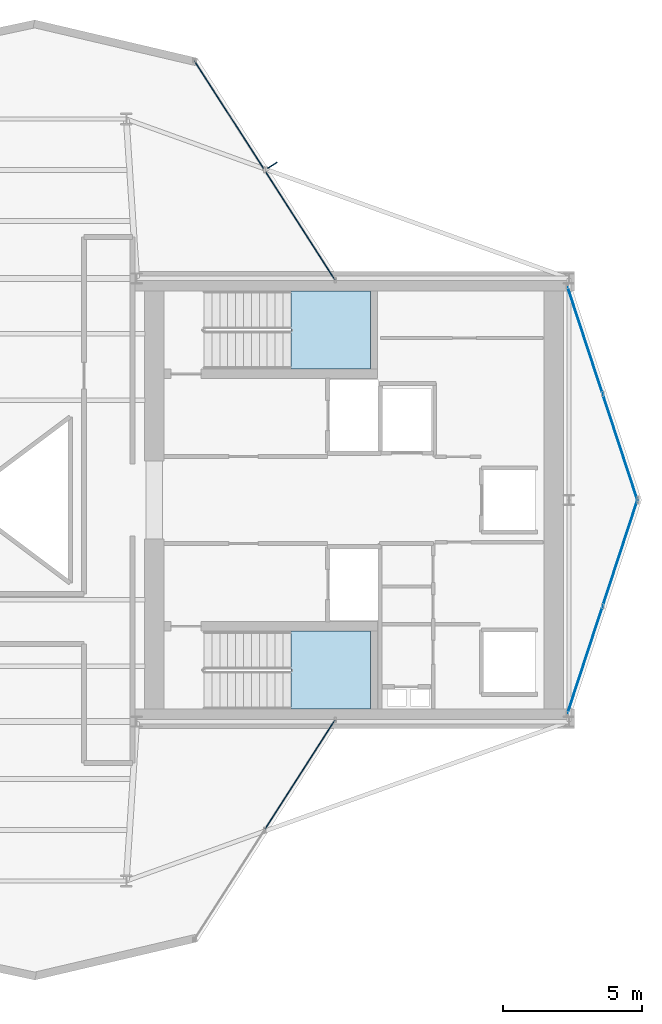
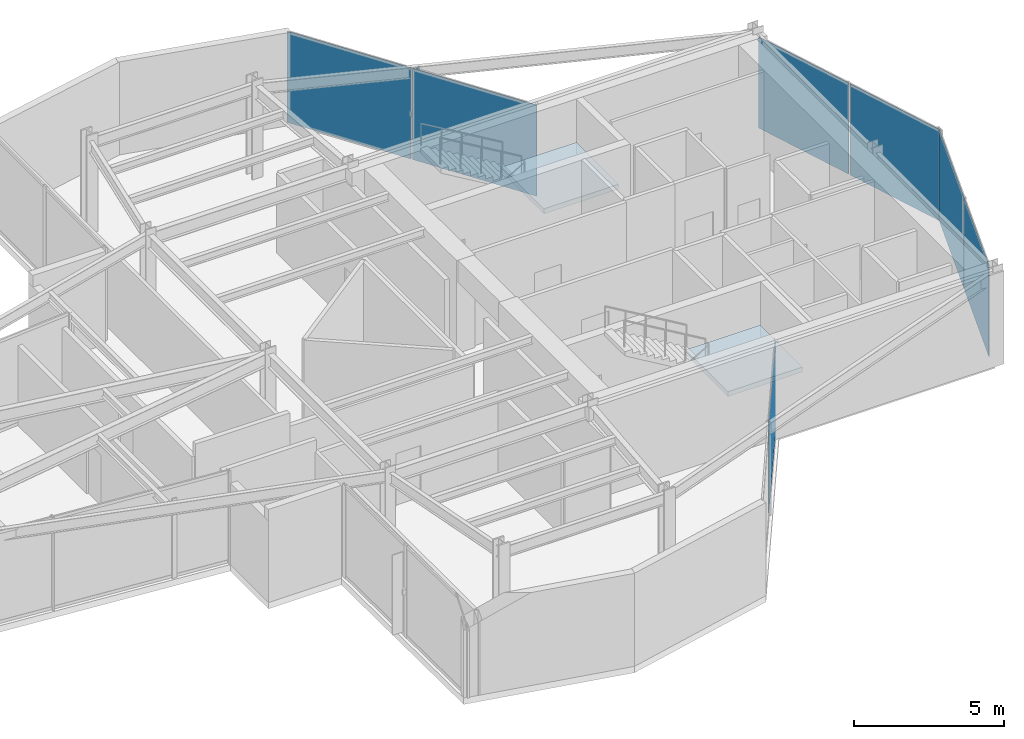
# One storey, part 20 of 23: 8 plates, 2 slabs, 6 elements without a shape of their own.
"""IFC4 building model written with IfcOpenShell, lengths in metres."""

import ifcopenshell
import ifcopenshell.guid

model = None  # the IFC model being written
_history = None  # IfcOwnerHistory: only IFC2X3 demands one
_inside = {}  # id of a spatial element -> (the spatial element, [elements in it])
_under = {}  # id of a project, library or spatial element -> (it, [spatial elements below it])
_declared = {}  # id of a project -> (the project, [libraries it declares])
_typed = {}  # id of a type object -> (the type object, [elements of that type])
_made_of = {}  # id of a material, layer set ... -> (it, [elements and type objects made of it])


def new_model(schema):
    """Start an empty IFC model of exactly this schema.

    Asked for "IFC4X3", IfcOpenShell would pick the latest addendum, in which some entities
    have other attributes; the version numbers below select the first issue.
    IFC2X3 requires an IfcOwnerHistory on every rooted entity: one is made here for all.
    """
    global model, _history
    if schema == "IFC4X3":
        model = ifcopenshell.file(schema_version=(4, 3, 0, 0))
    else:
        model = ifcopenshell.file(schema=schema)
    _inside.clear()
    _under.clear()
    _declared.clear()
    _typed.clear()
    _made_of.clear()
    _history = None
    if model.schema == "IFC2X3":
        org = make("IfcOrganization", Name="unknown")
        user = make(
            "IfcPersonAndOrganization",
            ThePerson=make("IfcPerson", FamilyName="unknown"),
            TheOrganization=org,
        )
        app = make(
            "IfcApplication",
            ApplicationDeveloper=org,
            Version="unknown",
            ApplicationFullName="unknown",
            ApplicationIdentifier="unknown",
        )
        _history = make(
            "IfcOwnerHistory",
            OwningUser=user,
            OwningApplication=app,
            ChangeAction="ADDED",
            CreationDate=0,
        )
    return model


def make(cls, **values):
    """One entity of the class cls with the attributes given. An attribute that is None is left unset."""
    return model.create_entity(
        cls, **{name: value for name, value in values.items() if value is not None}
    )


def rooted(cls, **values):
    """An entity with a GlobalId (a new one), such as an element, a storey or a relation."""
    return make(cls, GlobalId=ifcopenshell.guid.new(), OwnerHistory=_history, **values)


def si_unit(unit_type, name, prefix=None):
    """IfcSIUnit, for example si_unit("LENGTHUNIT", "METRE", prefix="MILLI")."""
    return make("IfcSIUnit", UnitType=unit_type, Prefix=prefix, Name=name)


def assignment(units):
    """IfcUnitAssignment: the units of a project."""
    return None if units is None else make("IfcUnitAssignment", Units=units)


def point(xyz):
    """IfcCartesianPoint."""
    return None if xyz is None else make("IfcCartesianPoint", Coordinates=xyz)


def direction(xyz):
    """IfcDirection."""
    return None if xyz is None else make("IfcDirection", DirectionRatios=xyz)


def frame(location, z_axis=None, x_axis=None):
    """IfcAxis2Placement3D, a coordinate frame: its origin and axes. An axis left out is left unset."""
    return make(
        "IfcAxis2Placement3D",
        Location=point(location),
        Axis=direction(z_axis),
        RefDirection=direction(x_axis),
    )


def frame_2d(location, x_axis=None):
    """IfcAxis2Placement2D, a coordinate frame in the plane: its origin and x axis."""
    return make(
        "IfcAxis2Placement2D", Location=point(location), RefDirection=direction(x_axis)
    )


def origin():
    """The frame at (0, 0, 0) with its axes left unset."""
    return frame((0.0, 0.0, 0.0))


def origin_2d():
    """The frame at (0, 0) in the plane with its x axis left unset."""
    return frame_2d((0.0, 0.0))


def place(relative_to, where):
    """IfcLocalPlacement: puts the frame where relative to a parent placement (None: the world)."""
    return make(
        "IfcLocalPlacement", PlacementRelTo=relative_to, RelativePlacement=where
    )


def context(
    kind, dimensions, precision=None, world=None, true_north=None, identifier=None
):
    """IfcGeometricRepresentationContext, for example the 3D "Model" context."""
    return make(
        "IfcGeometricRepresentationContext",
        ContextIdentifier=identifier,
        ContextType=kind,
        CoordinateSpaceDimension=dimensions,
        Precision=precision,
        WorldCoordinateSystem=world,
        TrueNorth=true_north,
    )


def subcontext(parent, identifier, kind, view, scale=None):
    """IfcGeometricRepresentationSubContext, for example "Body" below "Model"."""
    return make(
        "IfcGeometricRepresentationSubContext",
        ContextIdentifier=identifier,
        ContextType=kind,
        ParentContext=parent,
        TargetScale=scale,
        TargetView=view,
    )


def project(units=None, contexts=None):
    """IfcProject with its units and contexts."""
    return rooted(
        "IfcProject",
        Name="project",
        RepresentationContexts=contexts,
        UnitsInContext=assignment(units),
    )


def spatial(cls, under=None, at=None, **own):
    """A site, building, storey or space (cls), placed at a placement, below another one or the project."""
    s = rooted(cls, ObjectPlacement=at, **own)
    if under is not None:
        _under.setdefault(under.id(), (under, []))[1].append(s)
    return s


def polyline(points):
    """IfcPolyline through the points."""
    return make("IfcPolyline", Points=[point(p) for p in points])


def profile(cls, at=None, kind="AREA", **sizes):
    """A parametric profile (cls). Its sizes go by their IFC names, for example OverallWidth=200.0."""
    return make(cls, ProfileType=kind, Position=at, **sizes)


def rectangle(**sizes):
    """IfcRectangleProfileDef."""
    return profile("IfcRectangleProfileDef", **sizes)


def outline(outer, holes=None, kind="AREA"):
    """IfcArbitraryClosedProfileDef: a profile drawn as a closed curve; with holes, ...WithVoids."""
    if holes is None:
        return make("IfcArbitraryClosedProfileDef", ProfileType=kind, OuterCurve=outer)
    return make(
        "IfcArbitraryProfileDefWithVoids",
        ProfileType=kind,
        OuterCurve=outer,
        InnerCurves=holes,
    )


def extrude(swept, where, along, depth):
    """IfcExtrudedAreaSolid: the profile swept, set in the frame where, extruded along a direction by depth."""
    return make(
        "IfcExtrudedAreaSolid",
        SweptArea=swept,
        Position=where,
        ExtrudedDirection=direction(along),
        Depth=depth,
    )


def shape(context_of_items, identifier, shape_type, items):
    """IfcShapeRepresentation: the items that make up one representation, for example the "Body"."""
    return make(
        "IfcShapeRepresentation",
        ContextOfItems=context_of_items,
        RepresentationIdentifier=identifier,
        RepresentationType=shape_type,
        Items=items,
    )


def material(Name=None, Category=None):
    """IfcMaterial."""
    return make("IfcMaterial", Name=Name, Category=Category)


def layer(
    of_material, thickness, ventilated=None, Name=None, Category=None, Priority=None
):
    """IfcMaterialLayer: one layer of a wall or slab, of a material (None: an air gap)."""
    return make(
        "IfcMaterialLayer",
        Material=of_material,
        LayerThickness=thickness,
        IsVentilated=ventilated,
        Name=Name,
        Category=Category,
        Priority=Priority,
    )


def layer_set(layers, Name=None):
    """IfcMaterialLayerSet."""
    return make("IfcMaterialLayerSet", MaterialLayers=layers, LayerSetName=Name)


def made_of(thing, what):
    """Note that an element or type object is made of a material, layer set ...; save() writes the relation."""
    if what is not None:
        _made_of.setdefault(what.id(), (what, []))[1].append(thing)
    return thing


def type_object(cls, material=None, **own):
    """A type object (cls), such as IfcWallType, which elements share."""
    return made_of(rooted(cls, **own), material)


def element(
    cls,
    number,
    at=None,
    inside=None,
    cuts=None,
    type_object=None,
    material=None,
    context=None,
    identifier="Body",
    shape_type=None,
    held_by="IfcProductDefinitionShape",
    body=None,
    shapes=None,
    **own,
):
    """One element of the class cls, such as IfcWall. Its Tag is "e" and its number.

    at: its placement. inside: the storey or other place that contains it. cuts: it is an
    opening in that element (IfcRelVoidsElement). A single representation is given by context,
    identifier, shape_type and body (its items); several are given by shapes. held_by: the class
    of the entity that holds the representations. save() writes the other relations.
    """
    e = rooted(cls, Tag="e%d" % number, ObjectPlacement=at, **own)
    if body is not None:
        shapes = [shape(context, identifier, shape_type, body)]
    if shapes is not None:
        e.Representation = make(held_by, Representations=shapes)
    if inside is not None:
        _inside.setdefault(inside.id(), (inside, []))[1].append(e)
    if cuts is not None:
        rooted(
            "IfcRelVoidsElement", RelatingBuildingElement=cuts, RelatedOpeningElement=e
        )
    if type_object is not None:
        _typed.setdefault(type_object.id(), (type_object, []))[1].append(e)
    return made_of(e, material)


def aggregate(whole, parts):
    """IfcRelAggregates: a whole, such as a stair, and the parts it consists of."""
    return rooted("IfcRelAggregates", RelatingObject=whole, RelatedObjects=parts)


def save(model, path):
    """Write the relations noted so far, then the file.

    IfcRelAggregates (storeys below a building ...), IfcRelContainedInSpatialStructure (elements
    in a storey), IfcRelDefinesByType, IfcRelAssociatesMaterial and IfcRelDeclares: one each for
    every whole, place, type object, material and project.
    """
    for whole, parts in _under.values():
        aggregate(whole, parts)
    for where, things in _inside.values():
        rooted(
            "IfcRelContainedInSpatialStructure",
            RelatedElements=things,
            RelatingStructure=where,
        )
    for kind, things in _typed.values():
        rooted("IfcRelDefinesByType", RelatedObjects=things, RelatingType=kind)
    for what, things in _made_of.values():
        rooted("IfcRelAssociatesMaterial", RelatedObjects=things, RelatingMaterial=what)
    for by, libraries in _declared.values():
        rooted("IfcRelDeclares", RelatingContext=by, RelatedDefinitions=libraries)
    model.write(path)


model = new_model("IFC4")

# Units and contexts
model_context = context("Model", 3, precision=1e-05, world=origin(), true_north=direction((0.0, 1.0)))
body_context = subcontext(model_context, "Body", "Model", "MODEL_VIEW")
ifc_project = project(units=[si_unit("LENGTHUNIT", "METRE"), si_unit("AREAUNIT", "SQUARE_METRE"), si_unit("VOLUMEUNIT", "CUBIC_METRE"), si_unit("PLANEANGLEUNIT", "RADIAN"), si_unit("MASSUNIT", "GRAM", prefix="KILO")], contexts=[model_context])

# Site, building, storey
site_placement = place(None, origin())
site = spatial("IfcSite", under=ifc_project, at=site_placement, CompositionType="ELEMENT")
building_placement = place(site_placement, origin())
building = spatial("IfcBuilding", under=site, at=building_placement, Name="Veymaron Broadcast Tower", CompositionType="ELEMENT")
storey_placement = place(building_placement, frame((0.0, 0.0, 191.85009765625)))
storey = spatial("IfcBuildingStorey", under=building, at=storey_placement, Name="L44", CompositionType="ELEMENT", Elevation=191.85009765625)

# Curtain wall, plates
ifc_material_1 = material(Name="Anodised aluminium AA 6063-T6 and laminated low-E dark glass", Category="aluminium")
ifc_layer_1 = layer(ifc_material_1, 0.179931640625)
ifc_layer_set_1 = layer_set([ifc_layer_1], Name="Anodised aluminium AA 6063-T6 and laminated low-E dark glass")
curtain_wall_type = type_object("IfcCurtainWallType", Name="CW-SYS-05", PredefinedType="NOTDEFINED", material=ifc_layer_set_1)
curtain_wall_1_placement = place(storey_placement, origin())
curtain_wall_1 = element("IfcCurtainWall", 1, at=curtain_wall_1_placement, inside=storey, type_object=curtain_wall_type, Name="L44 dark-glass curtain wall CW-L44-E2-1", PredefinedType="NOTDEFINED")
ifc_material_2 = material(Name="Double-silver solar-control dark glass IGU 32 mm", Category="glass")
ifc_layer_2 = layer(ifc_material_2, 0.031982421875)
ifc_layer_set_2 = layer_set([ifc_layer_2], Name="Double-silver solar-control dark glass IGU 32 mm")
plate_type_1 = type_object("IfcPlateType", Name="CW-PNL-02", PredefinedType="CURTAIN_PANEL", material=ifc_layer_set_2)
plate_1_placement = place(storey_placement, frame((55.18359375, 18.227294921875, 0.0400390625), z_axis=(0.0, 0.0, 1.0), x_axis=(0.311771138789, 0.950157227525, 0.0)))
plate_1 = element("IfcPlate", 2, at=plate_1_placement, type_object=plate_type_1, Name="CW-L44-E2-1 unitised curtain panel 0", PredefinedType="CURTAIN_PANEL", context=body_context, shape_type="SweptSolid", body=[
    extrude(rectangle(XDim=4.02099609375, YDim=0.031982421875, at=origin_2d()), origin(), (0.0, 0.0, 1.0), 3.7099609375),
])
plate_2_placement = place(storey_placement, frame((56.455810546875, 22.104736328125, 0.0400390625), z_axis=(0.0, 0.0, 1.0), x_axis=(0.311771138789, 0.950157227525, 0.0)))
plate_2 = element("IfcPlate", 3, at=plate_2_placement, type_object=plate_type_1, Name="CW-L44-E2-1 unitised curtain panel 1", PredefinedType="CURTAIN_PANEL", context=body_context, shape_type="SweptSolid", body=[
    extrude(rectangle(XDim=4.02099609375, YDim=0.031982421875, at=origin_2d()), origin(), (0.0, 0.0, 1.0), 3.7099609375),
])
aggregate(curtain_wall_1, [plate_1, plate_2])

curtain_wall_2_placement = place(storey_placement, origin())
curtain_wall_2 = element("IfcCurtainWall", 4, at=curtain_wall_2_placement, inside=storey, type_object=curtain_wall_type, Name="L44 dark-glass curtain wall CW-L44-E3-1", PredefinedType="NOTDEFINED")
plate_3_placement = place(storey_placement, frame((56.455810546875, 25.895263671875, 0.0400390625), z_axis=(0.0, 0.0, 1.0), x_axis=(-0.311771138789, 0.950157227525, 0.0)))
plate_3 = element("IfcPlate", 5, at=plate_3_placement, type_object=plate_type_1, Name="CW-L44-E3-1 unitised curtain panel 0", PredefinedType="CURTAIN_PANEL", context=body_context, shape_type="SweptSolid", body=[
    extrude(rectangle(XDim=4.02099609375, YDim=0.031982421875, at=origin_2d()), origin(), (0.0, 0.0, 1.0), 3.7099609375),
])
plate_4_placement = place(storey_placement, frame((55.18359375, 29.772705078125, 0.0400390625), z_axis=(0.0, 0.0, 1.0), x_axis=(-0.311771138789, 0.950157227525, 0.0)))
plate_4 = element("IfcPlate", 6, at=plate_4_placement, type_object=plate_type_1, Name="CW-L44-E3-1 unitised curtain panel 1", PredefinedType="CURTAIN_PANEL", context=body_context, shape_type="SweptSolid", body=[
    extrude(rectangle(XDim=4.02099609375, YDim=0.031982421875, at=origin_2d()), origin(), (0.0, 0.0, 1.0), 3.7099609375),
])
aggregate(curtain_wall_2, [plate_3, plate_4])

curtain_wall_3_placement = place(storey_placement, origin())
curtain_wall_3 = element("IfcCurtainWall", 7, at=curtain_wall_3_placement, inside=storey, type_object=curtain_wall_type, Name="L44 dark-glass curtain wall CW-L44-E5-1", PredefinedType="NOTDEFINED")
plate_5_placement = place(storey_placement, frame((44.89404296875, 33.911865234375, 0.0400390625), z_axis=(0.0, 0.0, 1.0), x_axis=(-0.539961235236, 0.841689886147, 0.0)))
plate_5 = element("IfcPlate", 8, at=plate_5_placement, type_object=plate_type_1, Name="CW-L44-E5-1 unitised curtain panel 0", PredefinedType="CURTAIN_PANEL", context=body_context, shape_type="SweptSolid", body=[
    extrude(rectangle(XDim=4.66259765625, YDim=0.031982421875, at=origin_2d()), origin(), (0.0, 0.0, 1.0), 3.7099609375),
])
plate_6_placement = place(storey_placement, frame((42.343994140625, 37.886962890625, 0.0400390625), z_axis=(0.0, 0.0, 1.0), x_axis=(-0.539961235236, 0.841689886147, 0.0)))
plate_6 = element("IfcPlate", 9, at=plate_6_placement, type_object=plate_type_1, Name="CW-L44-E5-1 unitised curtain panel 1", PredefinedType="CURTAIN_PANEL", context=body_context, shape_type="SweptSolid", body=[
    extrude(rectangle(XDim=4.66259765625, YDim=0.031982421875, at=origin_2d()), origin(), (0.0, 0.0, 1.0), 3.7099609375),
])
aggregate(curtain_wall_3, [plate_5, plate_6])

# Curtain wall, plate
curtain_wall_4_placement = place(storey_placement, origin())
curtain_wall_4 = element("IfcCurtainWall", 10, at=curtain_wall_4_placement, inside=storey, type_object=curtain_wall_type, Name="L44 dark-glass curtain wall CW-L44-E20-1", PredefinedType="NOTDEFINED")
plate_7_placement = place(storey_placement, frame((44.89404296875, 14.088134765625, 0.0400390625), z_axis=(0.0, 0.0, 1.0), x_axis=(0.539961235236, 0.841689886147, 0.0)))
plate_7 = element("IfcPlate", 11, at=plate_7_placement, type_object=plate_type_1, Name="CW-L44-E20-1 unitised curtain panel 1", PredefinedType="CURTAIN_PANEL", context=body_context, shape_type="SweptSolid", body=[
    extrude(rectangle(XDim=4.66259765625, YDim=0.031982421875, at=origin_2d()), origin(), (0.0, 0.0, 1.0), 3.7099609375),
])
aggregate(curtain_wall_4, [plate_7])

# Plate
ifc_material_3 = material(Name="Dark-anodised aluminium AA 6061-T6", Category="aluminium")
ifc_layer_3 = layer(ifc_material_3, 0.031982421875)
ifc_layer_set_3 = layer_set([ifc_layer_3], Name="Dark-anodised aluminium AA 6061-T6")
plate_type_2 = type_object("IfcPlateType", Name="FIN-CHEV-03", PredefinedType="USERDEFINED", material=ifc_layer_set_3)
plate_8_placement = place(storey_placement, frame((43.896728515625, 36.07763671875, 0.26513671875), z_axis=(0.0, 0.0, 1.0), x_axis=(0.841689886147, 0.539961235236, 0.0)))
element("IfcPlate", 12, at=plate_8_placement, inside=storey, type_object=plate_type_2, Name="CW-L44-E5-1 chevron fin 1", ObjectType="FIN", PredefinedType="USERDEFINED", context=body_context, shape_type="SweptSolid", body=[
    extrude(rectangle(XDim=0.39990234375, YDim=0.034912109375, at=origin_2d()), origin(), (0.0, 0.0, 1.0), 3.259521484375),
])

# Stair, slab
ifc_material_4 = material(Name="Concrete C50/60", Category="concrete")
stair_type_1 = type_object("IfcStairType", Name="STAIR-CORE-1", PredefinedType="HALF_TURN_STAIR", material=ifc_material_4)
stair_1_placement = place(storey_placement, origin())
stair_1 = element("IfcStair", 13, at=stair_1_placement, inside=storey, type_object=stair_type_1, Name="L44 North protected dog-leg exit stair ST1", PredefinedType="HALF_TURN_STAIR")
ifc_layer_4 = layer(ifc_material_4, 0.199951171875)
ifc_layer_set_4 = layer_set([ifc_layer_4], Name="Concrete C50/60")
slab_type = type_object("IfcSlabType", Name="SLAB-STAIR-LDG", PredefinedType="LANDING", material=ifc_layer_set_4)
slab_1_placement = place(storey_placement, frame((0.0, 0.0, 1.824951171875)))
slab_1 = element("IfcSlab", 14, at=slab_1_placement, type_object=slab_type, Name="ST1 landing 1", PredefinedType="LANDING", context=body_context, shape_type="SweptSolid", body=[
    extrude(outline(polyline([(44.56494140625, 28.72998046875), (47.43994140625, 28.72998046875), (47.43994140625, 31.550048828125), (44.56494140625, 31.550048828125), (44.56494140625, 28.72998046875)])), origin(), (0.0, 0.0, 1.0), 0.199951171875),
])
aggregate(stair_1, [slab_1])

stair_type_2 = type_object("IfcStairType", Name="STAIR-CORE-2", PredefinedType="HALF_TURN_STAIR", material=ifc_material_4)
stair_2_placement = place(storey_placement, origin())
stair_2 = element("IfcStair", 15, at=stair_2_placement, inside=storey, type_object=stair_type_2, Name="L44 South protected dog-leg exit stair ST2", PredefinedType="HALF_TURN_STAIR")
slab_2_placement = place(storey_placement, frame((0.0, 0.0, 1.824951171875)))
slab_2 = element("IfcSlab", 16, at=slab_2_placement, type_object=slab_type, Name="ST2 landing 1", PredefinedType="LANDING", context=body_context, shape_type="SweptSolid", body=[
    extrude(outline(polyline([(44.56494140625, 16.449951171875), (47.43994140625, 16.449951171875), (47.43994140625, 19.27001953125), (44.56494140625, 19.27001953125), (44.56494140625, 16.449951171875)])), origin(), (0.0, 0.0, 1.0), 0.199951171875),
])
aggregate(stair_2, [slab_2])

save(model, "model.ifc")
